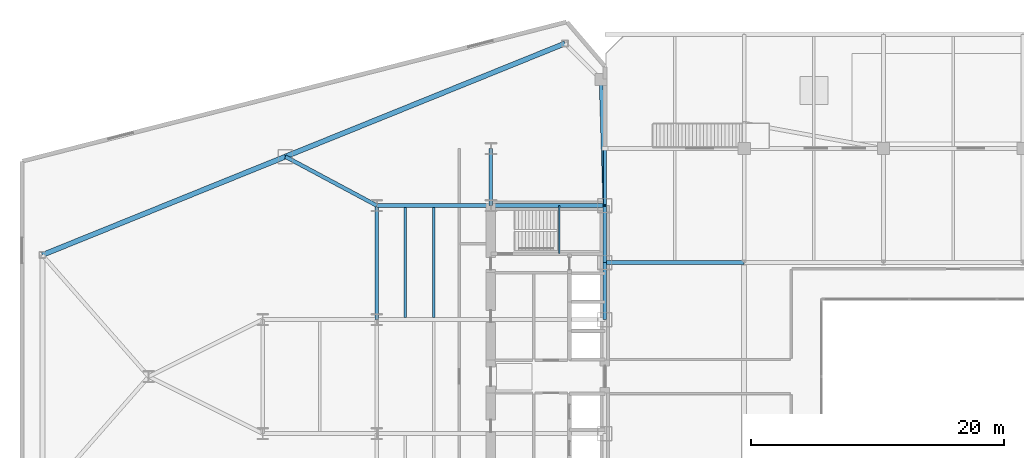
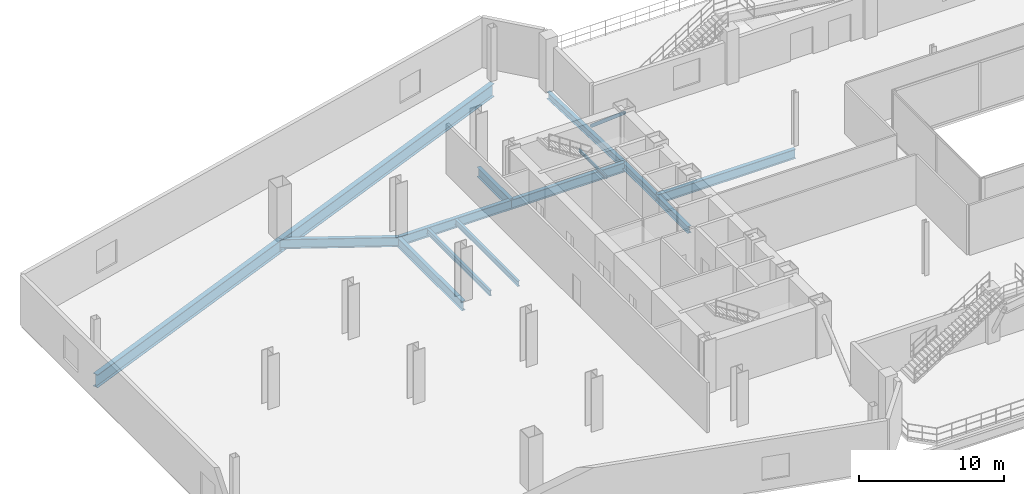
# One storey, part 11 of 27: 14 beams, 1 member.
"""IFC4 building model written with IfcOpenShell, lengths in metres."""

from ifc_helpers import new_model, si_unit, direction, frame, origin, origin_2d, place, context, subcontext, project, spatial, hollow_circle, i_section, extrude, source, transform, mapped, material, material_profile, profile_set, type_object, type_shapes, element, save


model = new_model("IFC4")

# Units and contexts
model_context = context("Model", 3, precision=1e-05, world=origin(), true_north=direction((0.0, 1.0)))
body_context = subcontext(model_context, "Body", "Model", "MODEL_VIEW")
ifc_project = project(units=[si_unit("LENGTHUNIT", "METRE"), si_unit("AREAUNIT", "SQUARE_METRE"), si_unit("VOLUMEUNIT", "CUBIC_METRE"), si_unit("PLANEANGLEUNIT", "RADIAN"), si_unit("MASSUNIT", "GRAM", prefix="KILO")], contexts=[model_context])

# Site, building, storey
site_placement = place(None, origin())
site = spatial("IfcSite", under=ifc_project, at=site_placement, CompositionType="ELEMENT")
building_placement = place(site_placement, origin())
building = spatial("IfcBuilding", under=site, at=building_placement, Name="Seokmaru Belvedere", CompositionType="ELEMENT")
storey_placement = place(building_placement, frame((0.0, 0.0, 9.89990234375)))
storey = spatial("IfcBuildingStorey", under=building, at=storey_placement, Name="L02", CompositionType="ELEMENT", Elevation=9.89990234375)

# Beams
ifc_material = material(Name="Steel SM355 (355 MPa)", Category="steel")
ifc_material_profile_1 = material_profile(ifc_material, i_section(OverallWidth=0.300048828125, OverallDepth=0.587890625, WebThickness=0.011962890625, FlangeThickness=0.02001953125, at=origin_2d()), Name="H-588x300x12x20")
ifc_profile_set_1 = profile_set([ifc_material_profile_1], Name="Steel SM355 (355 MPa)")
beam_type_1 = type_object("IfcBeamType", Name="Podium Edge Spandrel Beam H-588", PredefinedType="SPANDREL", material=ifc_profile_set_1)
shared_shape_1 = source(origin(), body_context, "Body", "SweptSolid", [
    extrude(i_section(OverallWidth=0.300048828125, OverallDepth=0.587890625, WebThickness=0.011962890625, FlangeThickness=0.02001953125, at=origin_2d()), origin(), (0.0, 0.0, 1.0), 4.5),
])
for number, where, z_axis, x_axis, name in (
    (1, (-27.5, 4.5, -0.573974609375), (0.0, 1.0, 0.0), (-1.0, 0.0, 0.0), "L02 W Portal Spine Spandrel 4"),
    (2, (-27.5, 9.0, -0.573974609375), (0.0, 1.0, 0.0), (-1.0, 0.0, 0.0), "L02 W Portal Spine Spandrel 5"),
):
    element("IfcBeam", number, at=place(storey_placement, frame(where, z_axis=z_axis, x_axis=x_axis)), inside=storey, type_object=beam_type_1, Name=name, PredefinedType="SPANDREL", context=body_context, shape_type="MappedRepresentation", body=[
        mapped(shared_shape_1, transform((0.0, 0.0, 0.0), scale=1.0)),
    ])
ifc_material_profile_2 = material_profile(ifc_material, i_section(OverallWidth=0.39990234375, OverallDepth=1.10009765625, WebThickness=0.02001953125, FlangeThickness=0.033935546875, at=origin_2d()), Name="BH-1100x400x20x34")
ifc_profile_set_2 = profile_set([ifc_material_profile_2], Name="Steel SM355 (355 MPa)")
beam_type_2 = type_object("IfcBeamType", Name="Sky-Gate Transverse Girder BH-1100", PredefinedType="BEAM", material=ifc_profile_set_2)
shared_shape_2 = source(origin(), body_context, "Body", "SweptSolid", [
    extrude(i_section(OverallWidth=0.39990234375, OverallDepth=1.10009765625, WebThickness=0.02001953125, FlangeThickness=0.033935546875, at=origin_2d()), origin(), (0.0, 0.0, 1.0), 23.811767578125),
])
beam_1_placement = place(storey_placement, frame((-30.643310546875, 26.294677734375, -0.829833984375), z_axis=(-0.92694579442, -0.375195274766, 0.0), x_axis=(0.375195274766, -0.92694579442, 0.0)))
element("IfcBeam", 3, at=beam_1_placement, inside=storey, type_object=beam_type_2, Name="L02 W Podium Long-Span Flank Girder N-1", PredefinedType="BEAM", context=body_context, shape_type="MappedRepresentation", body=[
    mapped(shared_shape_2, transform((0.0, 0.0, 0.0), scale=1.0)),
])
shared_shape_3 = source(origin(), body_context, "Body", "SweptSolid", [
    extrude(i_section(OverallWidth=0.39990234375, OverallDepth=1.10009765625, WebThickness=0.02001953125, FlangeThickness=0.033935546875, at=origin_2d()), origin(), (0.0, 0.0, 1.0), 20.6962890625),
])
type_shapes(beam_type_2, [shared_shape_2, shared_shape_3])
beam_2_placement = place(storey_placement, frame((-52.715576171875, 17.360595703125, -0.829833984375), z_axis=(-0.92695003666, -0.37518479385, 0.0), x_axis=(0.37518479385, -0.92695003666, 0.0)))
element("IfcBeam", 4, at=beam_2_placement, inside=storey, type_object=beam_type_2, Name="L02 W Podium Long-Span Flank Girder N-2", PredefinedType="BEAM", context=body_context, shape_type="MappedRepresentation", body=[
    mapped(shared_shape_3, transform((0.0, 0.0, 0.0), scale=1.0)),
])
shared_shape_4 = source(origin(), body_context, "Body", "SweptSolid", [
    extrude(i_section(OverallWidth=0.300048828125, OverallDepth=0.587890625, WebThickness=0.011962890625, FlangeThickness=0.02001953125, at=origin_2d()), origin(), (0.0, 0.0, 1.0), 9.9560546875),
])
type_shapes(beam_type_1, [shared_shape_1, shared_shape_4])
beam_3_placement = place(storey_placement, frame((-27.800048828125, 23.451416015625, -0.573974609375), z_axis=(0.030137674137, -0.999545757131, 0.0), x_axis=(0.999545757131, 0.030137674137, 0.0)))
element("IfcBeam", 5, at=beam_3_placement, inside=storey, type_object=beam_type_1, Name="L02 W Podium Spine Shoulder Tie N", PredefinedType="SPANDREL", context=body_context, shape_type="MappedRepresentation", body=[
    mapped(shared_shape_4, transform((0.0, 0.0, 0.0), scale=1.0)),
])
ifc_material_profile_3 = material_profile(ifc_material, i_section(OverallWidth=0.300048828125, OverallDepth=0.800048828125, WebThickness=0.013916015625, FlangeThickness=0.02587890625, at=origin_2d()), Name="H-800x300x14x26")
ifc_profile_set_3 = profile_set([ifc_material_profile_3], Name="Steel SM355 (355 MPa)")
beam_type_3 = type_object("IfcBeamType", Name="Podium Primary Girder H-800", PredefinedType="BEAM", material=ifc_profile_set_3)
shared_shape_5 = source(origin(), body_context, "Body", "SweptSolid", [
    extrude(i_section(OverallWidth=0.300048828125, OverallDepth=0.800048828125, WebThickness=0.013916015625, FlangeThickness=0.02587890625, at=origin_2d()), origin(), (0.0, 0.0, 1.0), 4.5),
])
beam_4_placement = place(storey_placement, frame((-36.5, 13.5, -0.679931640625), z_axis=(0.0, 1.0, 0.0), x_axis=(-1.0, 0.0, 0.0)))
element("IfcBeam", 6, at=beam_4_placement, inside=storey, type_object=beam_type_3, Name="L02 W Core Shoulder Girder N", PredefinedType="BEAM", context=body_context, shape_type="MappedRepresentation", body=[
    mapped(shared_shape_5, transform((0.0, 0.0, 0.0), scale=1.0)),
])
shared_shape_6 = source(origin(), body_context, "Body", "SweptSolid", [
    extrude(i_section(OverallWidth=0.300048828125, OverallDepth=0.800048828125, WebThickness=0.013916015625, FlangeThickness=0.02587890625, at=origin_2d()), origin(), (0.0, 0.0, 1.0), 9.0),
])
for number, where, z_axis, x_axis, name in (
    (7, (-45.5, 4.5, -0.679931640625), (0.0, 1.0, 0.0), (-1.0, 0.0, 0.0), "L02 W Interior Grid Girder 3"),
    (8, (-36.5, 13.5, -0.679931640625), (1.0, 0.0, 0.0), (0.0, 1.0, 0.0), "L02 W Core Tie Girder 4"),
    (9, (-45.5, 13.5, -0.679931640625), (1.0, 0.0, 0.0), (0.0, 1.0, 0.0), "L02 W Wing Primary Girder 4"),
):
    element("IfcBeam", number, at=place(storey_placement, frame(where, z_axis=z_axis, x_axis=x_axis)), inside=storey, type_object=beam_type_3, Name=name, PredefinedType="BEAM", context=body_context, shape_type="MappedRepresentation", body=[
        mapped(shared_shape_6, transform((0.0, 0.0, 0.0), scale=1.0)),
    ])
ifc_material_profile_4 = material_profile(ifc_material, i_section(OverallWidth=0.199951171875, OverallDepth=0.449951171875, WebThickness=0.009033203125, FlangeThickness=0.013916015625, at=origin_2d()), Name="H-450x200x9x14")
ifc_profile_set_4 = profile_set([ifc_material_profile_4], Name="Steel SM355 (355 MPa)")
beam_type_4 = type_object("IfcBeamType", Name="Podium Secondary Joist H-450", PredefinedType="JOIST", material=ifc_profile_set_4)
shared_shape_7 = source(origin(), body_context, "Body", "SweptSolid", [
    extrude(i_section(OverallWidth=0.199951171875, OverallDepth=0.449951171875, WebThickness=0.009033203125, FlangeThickness=0.013916015625, at=origin_2d()), origin(), (0.0, 0.0, 1.0), 8.68994140625),
])
type_shapes(beam_type_4, [shared_shape_7])
for number, where, z_axis, x_axis, name in (
    (10, (-43.25, 4.655029296875, -0.5048828125), (0.0, 1.0, 0.0), (-1.0, 0.0, 0.0), "L02 W Wing Inner Secondary Joist 2"),
    (11, (-41.0, 4.655029296875, -0.5048828125), (0.0, 1.0, 0.0), (-1.0, 0.0, 0.0), "L02 W Secondary Floor Joist 3"),
):
    element("IfcBeam", number, at=place(storey_placement, frame(where, z_axis=z_axis, x_axis=x_axis)), inside=storey, type_object=beam_type_4, Name=name, PredefinedType="JOIST", context=body_context, shape_type="MappedRepresentation", body=[
        mapped(shared_shape_7, transform((0.0, 0.0, 0.0), scale=1.0)),
    ])
shared_shape_8 = source(origin(), body_context, "Body", "SweptSolid", [
    extrude(i_section(OverallWidth=0.300048828125, OverallDepth=0.800048828125, WebThickness=0.013916015625, FlangeThickness=0.02587890625, at=origin_2d()), origin(), (0.0, 0.0, 1.0), 8.183349609375),
])
beam_5_placement = place(storey_placement, frame((-52.715576171875, 17.360595703125, -0.679931640625), z_axis=(0.881728657166, -0.47175690258, 0.0), x_axis=(0.47175690258, 0.881728657166, 0.0)))
element("IfcBeam", 12, at=beam_5_placement, inside=storey, type_object=beam_type_3, Name="L02 W Flank Radial Floor Girder N-2", PredefinedType="BEAM", context=body_context, shape_type="MappedRepresentation", body=[
    mapped(shared_shape_8, transform((0.0, 0.0, 0.0), scale=1.0)),
])
shared_shape_9 = source(origin(), body_context, "Body", "SweptSolid", [
    extrude(i_section(OverallWidth=0.300048828125, OverallDepth=0.800048828125, WebThickness=0.013916015625, FlangeThickness=0.02587890625, at=origin_2d()), origin(), (0.0, 0.0, 1.0), 11.0),
])
type_shapes(beam_type_3, [shared_shape_5, shared_shape_6, shared_shape_8, shared_shape_9])
beam_6_placement = place(storey_placement, frame((-27.5, 9.0, -0.679931640625), z_axis=(1.0, 0.0, 0.0), x_axis=(0.0, 1.0, 0.0)))
element("IfcBeam", 13, at=beam_6_placement, inside=storey, type_object=beam_type_3, Name="L02 Central Podium Girder 4-1", PredefinedType="BEAM", context=body_context, shape_type="MappedRepresentation", body=[
    mapped(shared_shape_9, transform((0.0, 0.0, 0.0), scale=1.0)),
])

# Member
ifc_material_profile_5 = material_profile(ifc_material, hollow_circle(Radius=0.1337890625, WallThickness=0.00927734375, at=origin_2d()), Name="CHS-267.4x9.3")
ifc_profile_set_5 = profile_set([ifc_material_profile_5], Name="Steel SM355 (355 MPa)")
member_type = type_object("IfcMemberType", Name="Canopy Tie Strut CHS-267", PredefinedType="BRACE", material=ifc_profile_set_5)
shared_shape_10 = source(origin(), body_context, "Body", "SweptSolid", [
    extrude(hollow_circle(Radius=0.1337890625, WallThickness=0.00927734375, at=origin_2d()), origin(), (0.0, 0.0, 1.0), 5.90283203125),
])
type_shapes(member_type, [shared_shape_10])
member_placement = place(storey_placement, frame((-27.5, 18.0, 0.0), z_axis=(0.0, -0.76235144486, 0.64716325183), x_axis=(1.0, 0.0, 0.0)))
element("IfcMember", 14, at=member_placement, inside=storey, type_object=member_type, Name="L02 Podium Portal Tie Strut WN", PredefinedType="BRACE", context=body_context, shape_type="MappedRepresentation", body=[
    mapped(shared_shape_10, transform((0.0, 0.0, 0.0), scale=1.0)),
])

# Beam
ifc_material_profile_6 = material_profile(ifc_material, i_section(OverallWidth=0.125, OverallDepth=0.25, WebThickness=0.006103515625, FlangeThickness=0.009033203125, at=origin_2d()), Name="H-250x125x6x9")
ifc_profile_set_6 = profile_set([ifc_material_profile_6], Name="Steel SM355 (355 MPa)")
beam_type_5 = type_object("IfcBeamType", Name="Stair Mid-Landing Support Beam H-250", PredefinedType="JOIST", material=ifc_profile_set_6)
shared_shape_11 = source(origin(), body_context, "Body", "SweptSolid", [
    extrude(i_section(OverallWidth=0.125, OverallDepth=0.25, WebThickness=0.006103515625, FlangeThickness=0.009033203125, at=origin_2d()), origin(), (0.0, 0.0, 1.0), 3.800048828125),
])
type_shapes(beam_type_5, [shared_shape_11])
beam_7_placement = place(storey_placement, frame((-31.090087890625, 9.699951171875, 1.925048828125), z_axis=(0.0, 1.0, 0.0), x_axis=(-1.0, 0.0, 0.0)))
element("IfcBeam", 15, at=beam_7_placement, inside=storey, type_object=beam_type_5, Name="L02 Stair ST-W2 Mid-Landing Support Beam 1", PredefinedType="JOIST", context=body_context, shape_type="MappedRepresentation", body=[
    mapped(shared_shape_11, transform((0.0, 0.0, 0.0), scale=1.0)),
])

save(model, "model.ifc")
